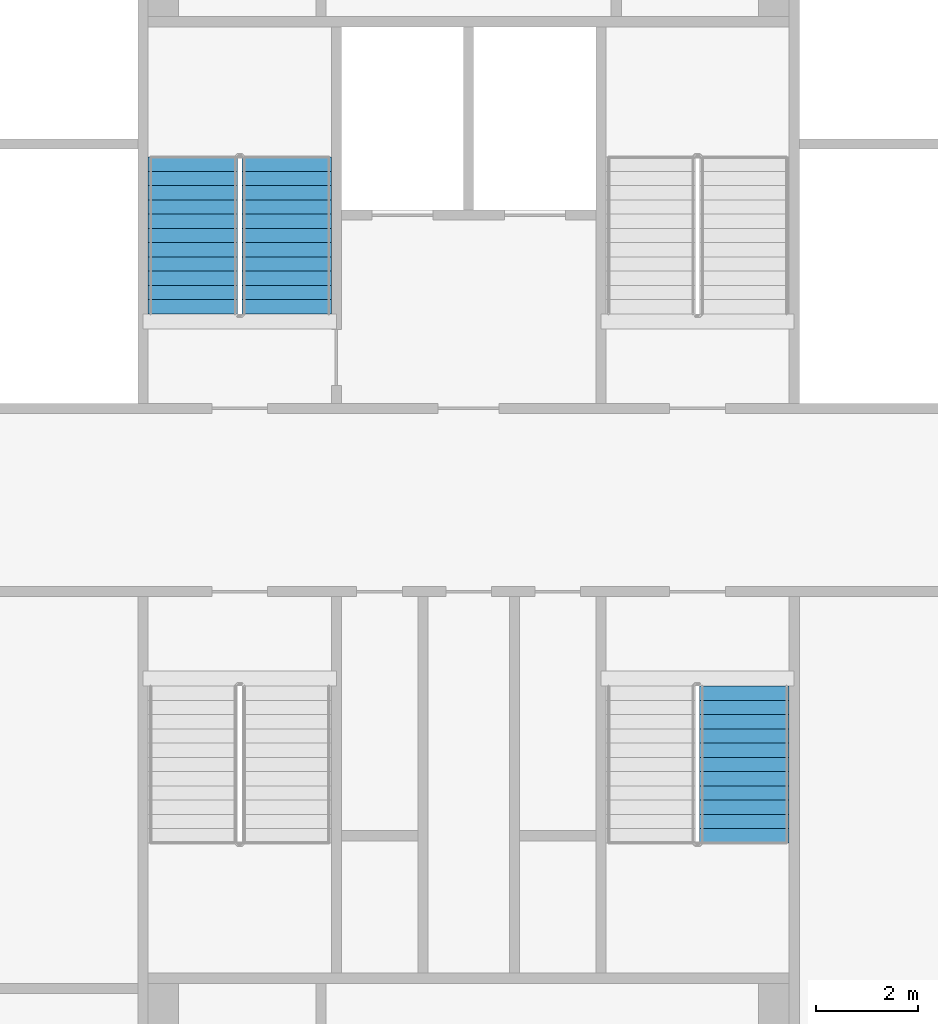
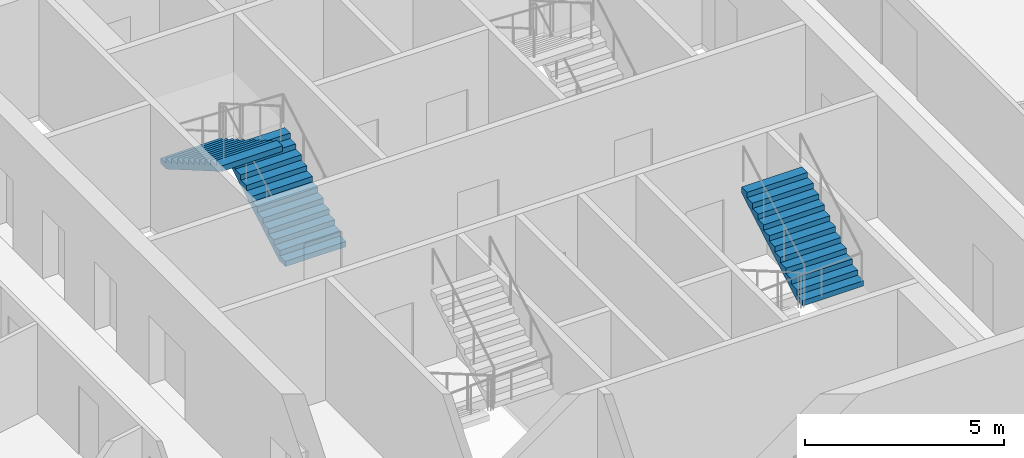
# One storey, part 15 of 21: 3 stair flights, 2 elements without a shape of their own.
"""IFC4 building model written with IfcOpenShell, lengths in metres."""

from ifc_helpers import new_model, si_unit, direction, frame, origin, place, context, subcontext, project, spatial, faceted_brep, material, type_object, element, aggregate, save


model = new_model("IFC4")

# Units and contexts
model_context = context("Model", 3, precision=1e-05, world=origin(), true_north=direction((0.0, 1.0)))
body_context = subcontext(model_context, "Body", "Model", "MODEL_VIEW")
ifc_project = project(units=[si_unit("LENGTHUNIT", "METRE"), si_unit("AREAUNIT", "SQUARE_METRE"), si_unit("VOLUMEUNIT", "CUBIC_METRE"), si_unit("PLANEANGLEUNIT", "RADIAN"), si_unit("MASSUNIT", "GRAM", prefix="KILO")], contexts=[model_context])

# Site, building, storey
site_placement = place(None, origin())
site = spatial("IfcSite", under=ifc_project, at=site_placement, CompositionType="ELEMENT")
building_placement = place(site_placement, origin())
building = spatial("IfcBuilding", under=site, at=building_placement, Name="Tarsis Ring Headquarters", CompositionType="ELEMENT")
storey_placement = place(building_placement, frame((0.0, 0.0, 331.39990234375)))
storey = spatial("IfcBuildingStorey", under=building, at=storey_placement, Name="L78", CompositionType="ELEMENT", Elevation=331.39990234375)

# Stair, stair flights
ifc_material_1 = material(Name="Core stair 1760")
stair_type = type_object("IfcStairType", Name="Core stair 1760", PredefinedType="HALF_TURN_STAIR", material=ifc_material_1)
stair_1_placement = place(storey_placement, origin())
stair_1 = element("IfcStair", 1, at=stair_1_placement, inside=storey, type_object=stair_type, Name="L78 Firefighting stair", PredefinedType="HALF_TURN_STAIR")
ifc_material_2 = material(Name="Concrete C40/50", Category="concrete")
stair_flight_type = type_object("IfcStairFlightType", Name="Core stair flight 1760", PredefinedType="STRAIGHT", material=ifc_material_2)
stair_flight_1_placement = place(storey_placement, frame((-3.580078125, 3.659912109375, 0.0), z_axis=(0.0, 0.0, 1.0), x_axis=(0.0, 1.0, 0.0)))
stair_flight_1 = element("IfcStairFlight", 2, at=stair_flight_1_placement, type_object=stair_flight_type, Name="Stair ST1 flight 1", NumberOfRisers=12, NumberOfTreads=11, PredefinedType="STRAIGHT", RiserHeight=0.1625, TreadLength=0.28, context=body_context, shape_type="Brep", body=[
    faceted_brep([(0.0, 0.8798828125, 0.0), (0.0, 0.8798828125, 0.16259765625), (0.280029296875, 0.8798828125, 0.16259765625), (0.280029296875, 0.8798828125, 0.324951171875), (0.56005859375, 0.8798828125, 0.324951171875), (0.56005859375, 0.8798828125, 0.487548828125), (0.840087890625, 0.8798828125, 0.487548828125), (0.840087890625, 0.8798828125, 0.64990234375), (1.1201171875, 0.8798828125, 0.64990234375), (1.1201171875, 0.8798828125, 0.8125), (1.39990234375, 0.8798828125, 0.8125), (1.39990234375, 0.8798828125, 0.97509765625), (1.679931640625, 0.8798828125, 0.97509765625), (1.679931640625, 0.8798828125, 1.137451171875), (1.9599609375, 0.8798828125, 1.137451171875), (1.9599609375, 0.8798828125, 1.300048828125), (2.239990234375, 0.8798828125, 1.300048828125), (2.239990234375, 0.8798828125, 1.46240234375), (2.52001953125, 0.8798828125, 1.46240234375), (2.52001953125, 0.8798828125, 1.625), (2.800048828125, 0.8798828125, 1.625), (2.800048828125, 0.8798828125, 1.78759765625), (3.080078125, 0.8798828125, 1.78759765625), (3.080078125, 0.8798828125, 1.6142578125), (0.298583984375, 0.8798828125, 0.0), (0.298583984375, -0.8798828125, 0.0), (3.080078125, -0.8798828125, 1.6142578125), (3.080078125, -0.8798828125, 1.78759765625), (2.800048828125, -0.8798828125, 1.78759765625), (2.800048828125, -0.8798828125, 1.625), (2.52001953125, -0.8798828125, 1.625), (2.52001953125, -0.8798828125, 1.46240234375), (2.239990234375, -0.8798828125, 1.46240234375), (2.239990234375, -0.8798828125, 1.300048828125), (1.9599609375, -0.8798828125, 1.300048828125), (1.9599609375, -0.8798828125, 1.137451171875), (1.679931640625, -0.8798828125, 1.137451171875), (1.679931640625, -0.8798828125, 0.97509765625), (1.39990234375, -0.8798828125, 0.97509765625), (1.39990234375, -0.8798828125, 0.8125), (1.1201171875, -0.8798828125, 0.8125), (1.1201171875, -0.8798828125, 0.64990234375), (0.840087890625, -0.8798828125, 0.64990234375), (0.840087890625, -0.8798828125, 0.487548828125), (0.56005859375, -0.8798828125, 0.487548828125), (0.56005859375, -0.8798828125, 0.324951171875), (0.280029296875, -0.8798828125, 0.324951171875), (0.280029296875, -0.8798828125, 0.16259765625), (0.0, -0.8798828125, 0.16259765625), (0.0, -0.8798828125, 0.0), (0.0, -0.43994140625, 0.16259765625), (0.0, -0.43994140625, 0.0), (0.0, 0.0, 0.16259765625), (0.0, 0.0, 0.0), (0.0, 0.43994140625, 0.16259765625), (0.0, 0.43994140625, 0.0), (0.280029296875, -0.43994140625, 0.16259765625), (0.280029296875, 0.0, 0.16259765625), (0.280029296875, 0.43994140625, 0.16259765625), (0.280029296875, -0.43994140625, 0.324951171875), (0.280029296875, 0.0, 0.324951171875), (0.280029296875, 0.43994140625, 0.324951171875), (0.56005859375, -0.43994140625, 0.324951171875), (0.56005859375, 0.0, 0.324951171875), (0.56005859375, 0.43994140625, 0.324951171875), (0.56005859375, -0.43994140625, 0.487548828125), (0.56005859375, 0.0, 0.487548828125), (0.56005859375, 0.43994140625, 0.487548828125), (0.840087890625, -0.43994140625, 0.487548828125), (0.840087890625, 0.0, 0.487548828125), (0.840087890625, 0.43994140625, 0.487548828125), (0.840087890625, -0.43994140625, 0.64990234375), (0.840087890625, 0.0, 0.64990234375), (0.840087890625, 0.43994140625, 0.64990234375), (1.1201171875, -0.43994140625, 0.64990234375), (1.1201171875, 0.0, 0.64990234375), (1.1201171875, 0.43994140625, 0.64990234375), (1.1201171875, -0.43994140625, 0.8125), (1.1201171875, 0.0, 0.8125), (1.1201171875, 0.43994140625, 0.8125), (1.39990234375, -0.43994140625, 0.8125), (1.39990234375, 0.0, 0.8125), (1.39990234375, 0.43994140625, 0.8125), (1.39990234375, -0.43994140625, 0.97509765625), (1.39990234375, 0.0, 0.97509765625), (1.39990234375, 0.43994140625, 0.97509765625), (1.679931640625, -0.43994140625, 0.97509765625), (1.679931640625, 0.0, 0.97509765625), (1.679931640625, 0.43994140625, 0.97509765625), (1.679931640625, -0.43994140625, 1.137451171875), (1.679931640625, 0.0, 1.137451171875), (1.679931640625, 0.43994140625, 1.137451171875), (1.9599609375, -0.43994140625, 1.137451171875), (1.9599609375, 0.0, 1.137451171875), (1.9599609375, 0.43994140625, 1.137451171875), (1.9599609375, -0.43994140625, 1.300048828125), (1.9599609375, 0.0, 1.300048828125), (1.9599609375, 0.43994140625, 1.300048828125), (2.239990234375, -0.43994140625, 1.300048828125), (2.239990234375, 0.0, 1.300048828125), (2.239990234375, 0.43994140625, 1.300048828125), (2.239990234375, -0.43994140625, 1.46240234375), (2.239990234375, 0.0, 1.46240234375), (2.239990234375, 0.43994140625, 1.46240234375), (2.52001953125, -0.43994140625, 1.46240234375), (2.52001953125, 0.0, 1.46240234375), (2.52001953125, 0.43994140625, 1.46240234375), (2.52001953125, -0.43994140625, 1.625), (2.52001953125, 0.0, 1.625), (2.52001953125, 0.43994140625, 1.625), (2.800048828125, -0.43994140625, 1.625), (2.800048828125, 0.0, 1.625), (2.800048828125, 0.43994140625, 1.625), (2.800048828125, -0.43994140625, 1.78759765625), (2.800048828125, 0.0, 1.78759765625), (2.800048828125, 0.43994140625, 1.78759765625), (3.080078125, -0.43994140625, 1.78759765625), (3.080078125, 0.0, 1.78759765625), (3.080078125, 0.43994140625, 1.78759765625), (3.080078125, -0.43994140625, 1.6142578125), (3.080078125, 0.0, 1.6142578125), (3.080078125, 0.43994140625, 1.6142578125), (0.298583984375, -0.43994140625, 0.0), (0.298583984375, 0.0, 0.0), (0.298583984375, 0.43994140625, 0.0)], [[[0, 1, 2, 3, 4, 5, 6, 7, 8, 9, 10, 11, 12, 13, 14, 15, 16, 17, 18, 19, 20, 21, 22, 23, 24]], [[25, 26, 27, 28, 29, 30, 31, 32, 33, 34, 35, 36, 37, 38, 39, 40, 41, 42, 43, 44, 45, 46, 47, 48, 49]], [[49, 48, 50, 51]], [[51, 50, 52, 53]], [[53, 52, 54, 55]], [[55, 54, 1, 0]], [[48, 47, 56, 50]], [[50, 56, 57, 52]], [[52, 57, 58, 54]], [[54, 58, 2, 1]], [[47, 46, 59, 56]], [[56, 59, 60, 57]], [[57, 60, 61, 58]], [[58, 61, 3, 2]], [[46, 45, 62, 59]], [[59, 62, 63, 60]], [[60, 63, 64, 61]], [[61, 64, 4, 3]], [[45, 44, 65, 62]], [[62, 65, 66, 63]], [[63, 66, 67, 64]], [[64, 67, 5, 4]], [[44, 43, 68, 65]], [[65, 68, 69, 66]], [[66, 69, 70, 67]], [[67, 70, 6, 5]], [[43, 42, 71, 68]], [[68, 71, 72, 69]], [[69, 72, 73, 70]], [[70, 73, 7, 6]], [[42, 41, 74, 71]], [[71, 74, 75, 72]], [[72, 75, 76, 73]], [[73, 76, 8, 7]], [[41, 40, 77, 74]], [[74, 77, 78, 75]], [[75, 78, 79, 76]], [[76, 79, 9, 8]], [[40, 39, 80, 77]], [[77, 80, 81, 78]], [[78, 81, 82, 79]], [[79, 82, 10, 9]], [[39, 38, 83, 80]], [[80, 83, 84, 81]], [[81, 84, 85, 82]], [[82, 85, 11, 10]], [[38, 37, 86, 83]], [[83, 86, 87, 84]], [[84, 87, 88, 85]], [[85, 88, 12, 11]], [[37, 36, 89, 86]], [[86, 89, 90, 87]], [[87, 90, 91, 88]], [[88, 91, 13, 12]], [[36, 35, 92, 89]], [[89, 92, 93, 90]], [[90, 93, 94, 91]], [[91, 94, 14, 13]], [[35, 34, 95, 92]], [[92, 95, 96, 93]], [[93, 96, 97, 94]], [[94, 97, 15, 14]], [[34, 33, 98, 95]], [[95, 98, 99, 96]], [[96, 99, 100, 97]], [[97, 100, 16, 15]], [[33, 32, 101, 98]], [[98, 101, 102, 99]], [[99, 102, 103, 100]], [[100, 103, 17, 16]], [[32, 31, 104, 101]], [[101, 104, 105, 102]], [[102, 105, 106, 103]], [[103, 106, 18, 17]], [[31, 30, 107, 104]], [[104, 107, 108, 105]], [[105, 108, 109, 106]], [[106, 109, 19, 18]], [[30, 29, 110, 107]], [[107, 110, 111, 108]], [[108, 111, 112, 109]], [[109, 112, 20, 19]], [[29, 28, 113, 110]], [[110, 113, 114, 111]], [[111, 114, 115, 112]], [[112, 115, 21, 20]], [[28, 27, 116, 113]], [[113, 116, 117, 114]], [[114, 117, 118, 115]], [[115, 118, 22, 21]], [[27, 26, 119, 116]], [[116, 119, 120, 117]], [[117, 120, 121, 118]], [[118, 121, 23, 22]], [[26, 25, 122, 119]], [[119, 122, 123, 120]], [[120, 123, 124, 121]], [[121, 124, 24, 23]], [[25, 49, 51, 122]], [[122, 51, 53, 123]], [[123, 53, 55, 124]], [[124, 55, 0, 24]]]),
])
stair_flight_2_placement = place(storey_placement, frame((-5.419921875, 6.739990234375, 1.9501953125), z_axis=(0.0, 0.0, 1.0), x_axis=(0.0, -1.0, 0.0)))
stair_flight_2 = element("IfcStairFlight", 3, at=stair_flight_2_placement, type_object=stair_flight_type, Name="Stair ST1 flight 2", NumberOfRisers=12, NumberOfTreads=11, PredefinedType="STRAIGHT", RiserHeight=0.1625, TreadLength=0.28, context=body_context, shape_type="Brep", body=[
    faceted_brep([(0.0, 0.8798828125, 0.0), (0.0, 0.8798828125, 0.16259765625), (0.280029296875, 0.8798828125, 0.16259765625), (0.280029296875, 0.8798828125, 0.324951171875), (0.56005859375, 0.8798828125, 0.324951171875), (0.56005859375, 0.8798828125, 0.487548828125), (0.840087890625, 0.8798828125, 0.487548828125), (0.840087890625, 0.8798828125, 0.64990234375), (1.1201171875, 0.8798828125, 0.64990234375), (1.1201171875, 0.8798828125, 0.8125), (1.39990234375, 0.8798828125, 0.8125), (1.39990234375, 0.8798828125, 0.97509765625), (1.679931640625, 0.8798828125, 0.97509765625), (1.679931640625, 0.8798828125, 1.137451171875), (1.9599609375, 0.8798828125, 1.137451171875), (1.9599609375, 0.8798828125, 1.300048828125), (2.239990234375, 0.8798828125, 1.300048828125), (2.239990234375, 0.8798828125, 1.46240234375), (2.52001953125, 0.8798828125, 1.46240234375), (2.52001953125, 0.8798828125, 1.625), (2.800048828125, 0.8798828125, 1.625), (2.800048828125, 0.8798828125, 1.78759765625), (3.080078125, 0.8798828125, 1.78759765625), (3.080078125, 0.8798828125, 1.6142578125), (0.298583984375, 0.8798828125, 0.0), (0.298583984375, -0.8798828125, 0.0), (3.080078125, -0.8798828125, 1.6142578125), (3.080078125, -0.8798828125, 1.78759765625), (2.800048828125, -0.8798828125, 1.78759765625), (2.800048828125, -0.8798828125, 1.625), (2.52001953125, -0.8798828125, 1.625), (2.52001953125, -0.8798828125, 1.46240234375), (2.239990234375, -0.8798828125, 1.46240234375), (2.239990234375, -0.8798828125, 1.300048828125), (1.9599609375, -0.8798828125, 1.300048828125), (1.9599609375, -0.8798828125, 1.137451171875), (1.679931640625, -0.8798828125, 1.137451171875), (1.679931640625, -0.8798828125, 0.97509765625), (1.39990234375, -0.8798828125, 0.97509765625), (1.39990234375, -0.8798828125, 0.8125), (1.1201171875, -0.8798828125, 0.8125), (1.1201171875, -0.8798828125, 0.64990234375), (0.840087890625, -0.8798828125, 0.64990234375), (0.840087890625, -0.8798828125, 0.487548828125), (0.56005859375, -0.8798828125, 0.487548828125), (0.56005859375, -0.8798828125, 0.324951171875), (0.280029296875, -0.8798828125, 0.324951171875), (0.280029296875, -0.8798828125, 0.16259765625), (0.0, -0.8798828125, 0.16259765625), (0.0, -0.8798828125, 0.0), (0.0, -0.43994140625, 0.16259765625), (0.0, -0.43994140625, 0.0), (0.0, 0.0, 0.16259765625), (0.0, 0.0, 0.0), (0.0, 0.43994140625, 0.16259765625), (0.0, 0.43994140625, 0.0), (0.280029296875, -0.43994140625, 0.16259765625), (0.280029296875, 0.0, 0.16259765625), (0.280029296875, 0.43994140625, 0.16259765625), (0.280029296875, -0.43994140625, 0.324951171875), (0.280029296875, 0.0, 0.324951171875), (0.280029296875, 0.43994140625, 0.324951171875), (0.56005859375, -0.43994140625, 0.324951171875), (0.56005859375, 0.0, 0.324951171875), (0.56005859375, 0.43994140625, 0.324951171875), (0.56005859375, -0.43994140625, 0.487548828125), (0.56005859375, 0.0, 0.487548828125), (0.56005859375, 0.43994140625, 0.487548828125), (0.840087890625, -0.43994140625, 0.487548828125), (0.840087890625, 0.0, 0.487548828125), (0.840087890625, 0.43994140625, 0.487548828125), (0.840087890625, -0.43994140625, 0.64990234375), (0.840087890625, 0.0, 0.64990234375), (0.840087890625, 0.43994140625, 0.64990234375), (1.1201171875, -0.43994140625, 0.64990234375), (1.1201171875, 0.0, 0.64990234375), (1.1201171875, 0.43994140625, 0.64990234375), (1.1201171875, -0.43994140625, 0.8125), (1.1201171875, 0.0, 0.8125), (1.1201171875, 0.43994140625, 0.8125), (1.39990234375, -0.43994140625, 0.8125), (1.39990234375, 0.0, 0.8125), (1.39990234375, 0.43994140625, 0.8125), (1.39990234375, -0.43994140625, 0.97509765625), (1.39990234375, 0.0, 0.97509765625), (1.39990234375, 0.43994140625, 0.97509765625), (1.679931640625, -0.43994140625, 0.97509765625), (1.679931640625, 0.0, 0.97509765625), (1.679931640625, 0.43994140625, 0.97509765625), (1.679931640625, -0.43994140625, 1.137451171875), (1.679931640625, 0.0, 1.137451171875), (1.679931640625, 0.43994140625, 1.137451171875), (1.9599609375, -0.43994140625, 1.137451171875), (1.9599609375, 0.0, 1.137451171875), (1.9599609375, 0.43994140625, 1.137451171875), (1.9599609375, -0.43994140625, 1.300048828125), (1.9599609375, 0.0, 1.300048828125), (1.9599609375, 0.43994140625, 1.300048828125), (2.239990234375, -0.43994140625, 1.300048828125), (2.239990234375, 0.0, 1.300048828125), (2.239990234375, 0.43994140625, 1.300048828125), (2.239990234375, -0.43994140625, 1.46240234375), (2.239990234375, 0.0, 1.46240234375), (2.239990234375, 0.43994140625, 1.46240234375), (2.52001953125, -0.43994140625, 1.46240234375), (2.52001953125, 0.0, 1.46240234375), (2.52001953125, 0.43994140625, 1.46240234375), (2.52001953125, -0.43994140625, 1.625), (2.52001953125, 0.0, 1.625), (2.52001953125, 0.43994140625, 1.625), (2.800048828125, -0.43994140625, 1.625), (2.800048828125, 0.0, 1.625), (2.800048828125, 0.43994140625, 1.625), (2.800048828125, -0.43994140625, 1.78759765625), (2.800048828125, 0.0, 1.78759765625), (2.800048828125, 0.43994140625, 1.78759765625), (3.080078125, -0.43994140625, 1.78759765625), (3.080078125, 0.0, 1.78759765625), (3.080078125, 0.43994140625, 1.78759765625), (3.080078125, -0.43994140625, 1.6142578125), (3.080078125, 0.0, 1.6142578125), (3.080078125, 0.43994140625, 1.6142578125), (0.298583984375, -0.43994140625, 0.0), (0.298583984375, 0.0, 0.0), (0.298583984375, 0.43994140625, 0.0)], [[[0, 1, 2, 3, 4, 5, 6, 7, 8, 9, 10, 11, 12, 13, 14, 15, 16, 17, 18, 19, 20, 21, 22, 23, 24]], [[25, 26, 27, 28, 29, 30, 31, 32, 33, 34, 35, 36, 37, 38, 39, 40, 41, 42, 43, 44, 45, 46, 47, 48, 49]], [[49, 48, 50, 51]], [[51, 50, 52, 53]], [[53, 52, 54, 55]], [[55, 54, 1, 0]], [[48, 47, 56, 50]], [[50, 56, 57, 52]], [[52, 57, 58, 54]], [[54, 58, 2, 1]], [[47, 46, 59, 56]], [[56, 59, 60, 57]], [[57, 60, 61, 58]], [[58, 61, 3, 2]], [[46, 45, 62, 59]], [[59, 62, 63, 60]], [[60, 63, 64, 61]], [[61, 64, 4, 3]], [[45, 44, 65, 62]], [[62, 65, 66, 63]], [[63, 66, 67, 64]], [[64, 67, 5, 4]], [[44, 43, 68, 65]], [[65, 68, 69, 66]], [[66, 69, 70, 67]], [[67, 70, 6, 5]], [[43, 42, 71, 68]], [[68, 71, 72, 69]], [[69, 72, 73, 70]], [[70, 73, 7, 6]], [[42, 41, 74, 71]], [[71, 74, 75, 72]], [[72, 75, 76, 73]], [[73, 76, 8, 7]], [[41, 40, 77, 74]], [[74, 77, 78, 75]], [[75, 78, 79, 76]], [[76, 79, 9, 8]], [[40, 39, 80, 77]], [[77, 80, 81, 78]], [[78, 81, 82, 79]], [[79, 82, 10, 9]], [[39, 38, 83, 80]], [[80, 83, 84, 81]], [[81, 84, 85, 82]], [[82, 85, 11, 10]], [[38, 37, 86, 83]], [[83, 86, 87, 84]], [[84, 87, 88, 85]], [[85, 88, 12, 11]], [[37, 36, 89, 86]], [[86, 89, 90, 87]], [[87, 90, 91, 88]], [[88, 91, 13, 12]], [[36, 35, 92, 89]], [[89, 92, 93, 90]], [[90, 93, 94, 91]], [[91, 94, 14, 13]], [[35, 34, 95, 92]], [[92, 95, 96, 93]], [[93, 96, 97, 94]], [[94, 97, 15, 14]], [[34, 33, 98, 95]], [[95, 98, 99, 96]], [[96, 99, 100, 97]], [[97, 100, 16, 15]], [[33, 32, 101, 98]], [[98, 101, 102, 99]], [[99, 102, 103, 100]], [[100, 103, 17, 16]], [[32, 31, 104, 101]], [[101, 104, 105, 102]], [[102, 105, 106, 103]], [[103, 106, 18, 17]], [[31, 30, 107, 104]], [[104, 107, 108, 105]], [[105, 108, 109, 106]], [[106, 109, 19, 18]], [[30, 29, 110, 107]], [[107, 110, 111, 108]], [[108, 111, 112, 109]], [[109, 112, 20, 19]], [[29, 28, 113, 110]], [[110, 113, 114, 111]], [[111, 114, 115, 112]], [[112, 115, 21, 20]], [[28, 27, 116, 113]], [[113, 116, 117, 114]], [[114, 117, 118, 115]], [[115, 118, 22, 21]], [[27, 26, 119, 116]], [[116, 119, 120, 117]], [[117, 120, 121, 118]], [[118, 121, 23, 22]], [[26, 25, 122, 119]], [[119, 122, 123, 120]], [[120, 123, 124, 121]], [[121, 124, 24, 23]], [[25, 49, 51, 122]], [[122, 51, 53, 123]], [[123, 53, 55, 124]], [[124, 55, 0, 24]]]),
])
aggregate(stair_1, [stair_flight_1, stair_flight_2])

# Stair, stair flight
stair_2_placement = place(storey_placement, origin())
stair_2 = element("IfcStair", 4, at=stair_2_placement, inside=storey, type_object=stair_type, Name="L78 Exit stair D", PredefinedType="HALF_TURN_STAIR")
stair_flight_3_placement = place(storey_placement, frame((5.419921875, -6.739990234375, 1.9501953125), z_axis=(0.0, 0.0, 1.0), x_axis=(0.0, 1.0, 0.0)))
stair_flight_3 = element("IfcStairFlight", 5, at=stair_flight_3_placement, type_object=stair_flight_type, Name="Stair ST4 flight 2", NumberOfRisers=12, NumberOfTreads=11, PredefinedType="STRAIGHT", RiserHeight=0.1625, TreadLength=0.28, context=body_context, shape_type="Brep", body=[
    faceted_brep([(0.0, 0.8798828125, 0.0), (0.0, 0.8798828125, 0.16259765625), (0.280029296875, 0.8798828125, 0.16259765625), (0.280029296875, 0.8798828125, 0.324951171875), (0.56005859375, 0.8798828125, 0.324951171875), (0.56005859375, 0.8798828125, 0.487548828125), (0.840087890625, 0.8798828125, 0.487548828125), (0.840087890625, 0.8798828125, 0.64990234375), (1.1201171875, 0.8798828125, 0.64990234375), (1.1201171875, 0.8798828125, 0.8125), (1.39990234375, 0.8798828125, 0.8125), (1.39990234375, 0.8798828125, 0.97509765625), (1.679931640625, 0.8798828125, 0.97509765625), (1.679931640625, 0.8798828125, 1.137451171875), (1.9599609375, 0.8798828125, 1.137451171875), (1.9599609375, 0.8798828125, 1.300048828125), (2.239990234375, 0.8798828125, 1.300048828125), (2.239990234375, 0.8798828125, 1.46240234375), (2.52001953125, 0.8798828125, 1.46240234375), (2.52001953125, 0.8798828125, 1.625), (2.800048828125, 0.8798828125, 1.625), (2.800048828125, 0.8798828125, 1.78759765625), (3.080078125, 0.8798828125, 1.78759765625), (3.080078125, 0.8798828125, 1.6142578125), (0.298583984375, 0.8798828125, 0.0), (0.298583984375, -0.8798828125, 0.0), (3.080078125, -0.8798828125, 1.6142578125), (3.080078125, -0.8798828125, 1.78759765625), (2.800048828125, -0.8798828125, 1.78759765625), (2.800048828125, -0.8798828125, 1.625), (2.52001953125, -0.8798828125, 1.625), (2.52001953125, -0.8798828125, 1.46240234375), (2.239990234375, -0.8798828125, 1.46240234375), (2.239990234375, -0.8798828125, 1.300048828125), (1.9599609375, -0.8798828125, 1.300048828125), (1.9599609375, -0.8798828125, 1.137451171875), (1.679931640625, -0.8798828125, 1.137451171875), (1.679931640625, -0.8798828125, 0.97509765625), (1.39990234375, -0.8798828125, 0.97509765625), (1.39990234375, -0.8798828125, 0.8125), (1.1201171875, -0.8798828125, 0.8125), (1.1201171875, -0.8798828125, 0.64990234375), (0.840087890625, -0.8798828125, 0.64990234375), (0.840087890625, -0.8798828125, 0.487548828125), (0.56005859375, -0.8798828125, 0.487548828125), (0.56005859375, -0.8798828125, 0.324951171875), (0.280029296875, -0.8798828125, 0.324951171875), (0.280029296875, -0.8798828125, 0.16259765625), (0.0, -0.8798828125, 0.16259765625), (0.0, -0.8798828125, 0.0), (0.0, -0.43994140625, 0.16259765625), (0.0, -0.43994140625, 0.0), (0.0, 0.0, 0.16259765625), (0.0, 0.0, 0.0), (0.0, 0.43994140625, 0.16259765625), (0.0, 0.43994140625, 0.0), (0.280029296875, -0.43994140625, 0.16259765625), (0.280029296875, 0.0, 0.16259765625), (0.280029296875, 0.43994140625, 0.16259765625), (0.280029296875, -0.43994140625, 0.324951171875), (0.280029296875, 0.0, 0.324951171875), (0.280029296875, 0.43994140625, 0.324951171875), (0.56005859375, -0.43994140625, 0.324951171875), (0.56005859375, 0.0, 0.324951171875), (0.56005859375, 0.43994140625, 0.324951171875), (0.56005859375, -0.43994140625, 0.487548828125), (0.56005859375, 0.0, 0.487548828125), (0.56005859375, 0.43994140625, 0.487548828125), (0.840087890625, -0.43994140625, 0.487548828125), (0.840087890625, 0.0, 0.487548828125), (0.840087890625, 0.43994140625, 0.487548828125), (0.840087890625, -0.43994140625, 0.64990234375), (0.840087890625, 0.0, 0.64990234375), (0.840087890625, 0.43994140625, 0.64990234375), (1.1201171875, -0.43994140625, 0.64990234375), (1.1201171875, 0.0, 0.64990234375), (1.1201171875, 0.43994140625, 0.64990234375), (1.1201171875, -0.43994140625, 0.8125), (1.1201171875, 0.0, 0.8125), (1.1201171875, 0.43994140625, 0.8125), (1.39990234375, -0.43994140625, 0.8125), (1.39990234375, 0.0, 0.8125), (1.39990234375, 0.43994140625, 0.8125), (1.39990234375, -0.43994140625, 0.97509765625), (1.39990234375, 0.0, 0.97509765625), (1.39990234375, 0.43994140625, 0.97509765625), (1.679931640625, -0.43994140625, 0.97509765625), (1.679931640625, 0.0, 0.97509765625), (1.679931640625, 0.43994140625, 0.97509765625), (1.679931640625, -0.43994140625, 1.137451171875), (1.679931640625, 0.0, 1.137451171875), (1.679931640625, 0.43994140625, 1.137451171875), (1.9599609375, -0.43994140625, 1.137451171875), (1.9599609375, 0.0, 1.137451171875), (1.9599609375, 0.43994140625, 1.137451171875), (1.9599609375, -0.43994140625, 1.300048828125), (1.9599609375, 0.0, 1.300048828125), (1.9599609375, 0.43994140625, 1.300048828125), (2.239990234375, -0.43994140625, 1.300048828125), (2.239990234375, 0.0, 1.300048828125), (2.239990234375, 0.43994140625, 1.300048828125), (2.239990234375, -0.43994140625, 1.46240234375), (2.239990234375, 0.0, 1.46240234375), (2.239990234375, 0.43994140625, 1.46240234375), (2.52001953125, -0.43994140625, 1.46240234375), (2.52001953125, 0.0, 1.46240234375), (2.52001953125, 0.43994140625, 1.46240234375), (2.52001953125, -0.43994140625, 1.625), (2.52001953125, 0.0, 1.625), (2.52001953125, 0.43994140625, 1.625), (2.800048828125, -0.43994140625, 1.625), (2.800048828125, 0.0, 1.625), (2.800048828125, 0.43994140625, 1.625), (2.800048828125, -0.43994140625, 1.78759765625), (2.800048828125, 0.0, 1.78759765625), (2.800048828125, 0.43994140625, 1.78759765625), (3.080078125, -0.43994140625, 1.78759765625), (3.080078125, 0.0, 1.78759765625), (3.080078125, 0.43994140625, 1.78759765625), (3.080078125, -0.43994140625, 1.6142578125), (3.080078125, 0.0, 1.6142578125), (3.080078125, 0.43994140625, 1.6142578125), (0.298583984375, -0.43994140625, 0.0), (0.298583984375, 0.0, 0.0), (0.298583984375, 0.43994140625, 0.0)], [[[0, 1, 2, 3, 4, 5, 6, 7, 8, 9, 10, 11, 12, 13, 14, 15, 16, 17, 18, 19, 20, 21, 22, 23, 24]], [[25, 26, 27, 28, 29, 30, 31, 32, 33, 34, 35, 36, 37, 38, 39, 40, 41, 42, 43, 44, 45, 46, 47, 48, 49]], [[49, 48, 50, 51]], [[51, 50, 52, 53]], [[53, 52, 54, 55]], [[55, 54, 1, 0]], [[48, 47, 56, 50]], [[50, 56, 57, 52]], [[52, 57, 58, 54]], [[54, 58, 2, 1]], [[47, 46, 59, 56]], [[56, 59, 60, 57]], [[57, 60, 61, 58]], [[58, 61, 3, 2]], [[46, 45, 62, 59]], [[59, 62, 63, 60]], [[60, 63, 64, 61]], [[61, 64, 4, 3]], [[45, 44, 65, 62]], [[62, 65, 66, 63]], [[63, 66, 67, 64]], [[64, 67, 5, 4]], [[44, 43, 68, 65]], [[65, 68, 69, 66]], [[66, 69, 70, 67]], [[67, 70, 6, 5]], [[43, 42, 71, 68]], [[68, 71, 72, 69]], [[69, 72, 73, 70]], [[70, 73, 7, 6]], [[42, 41, 74, 71]], [[71, 74, 75, 72]], [[72, 75, 76, 73]], [[73, 76, 8, 7]], [[41, 40, 77, 74]], [[74, 77, 78, 75]], [[75, 78, 79, 76]], [[76, 79, 9, 8]], [[40, 39, 80, 77]], [[77, 80, 81, 78]], [[78, 81, 82, 79]], [[79, 82, 10, 9]], [[39, 38, 83, 80]], [[80, 83, 84, 81]], [[81, 84, 85, 82]], [[82, 85, 11, 10]], [[38, 37, 86, 83]], [[83, 86, 87, 84]], [[84, 87, 88, 85]], [[85, 88, 12, 11]], [[37, 36, 89, 86]], [[86, 89, 90, 87]], [[87, 90, 91, 88]], [[88, 91, 13, 12]], [[36, 35, 92, 89]], [[89, 92, 93, 90]], [[90, 93, 94, 91]], [[91, 94, 14, 13]], [[35, 34, 95, 92]], [[92, 95, 96, 93]], [[93, 96, 97, 94]], [[94, 97, 15, 14]], [[34, 33, 98, 95]], [[95, 98, 99, 96]], [[96, 99, 100, 97]], [[97, 100, 16, 15]], [[33, 32, 101, 98]], [[98, 101, 102, 99]], [[99, 102, 103, 100]], [[100, 103, 17, 16]], [[32, 31, 104, 101]], [[101, 104, 105, 102]], [[102, 105, 106, 103]], [[103, 106, 18, 17]], [[31, 30, 107, 104]], [[104, 107, 108, 105]], [[105, 108, 109, 106]], [[106, 109, 19, 18]], [[30, 29, 110, 107]], [[107, 110, 111, 108]], [[108, 111, 112, 109]], [[109, 112, 20, 19]], [[29, 28, 113, 110]], [[110, 113, 114, 111]], [[111, 114, 115, 112]], [[112, 115, 21, 20]], [[28, 27, 116, 113]], [[113, 116, 117, 114]], [[114, 117, 118, 115]], [[115, 118, 22, 21]], [[27, 26, 119, 116]], [[116, 119, 120, 117]], [[117, 120, 121, 118]], [[118, 121, 23, 22]], [[26, 25, 122, 119]], [[119, 122, 123, 120]], [[120, 123, 124, 121]], [[121, 124, 24, 23]], [[25, 49, 51, 122]], [[122, 51, 53, 123]], [[123, 53, 55, 124]], [[124, 55, 0, 24]]]),
])
aggregate(stair_2, [stair_flight_3])

save(model, "model.ifc")
